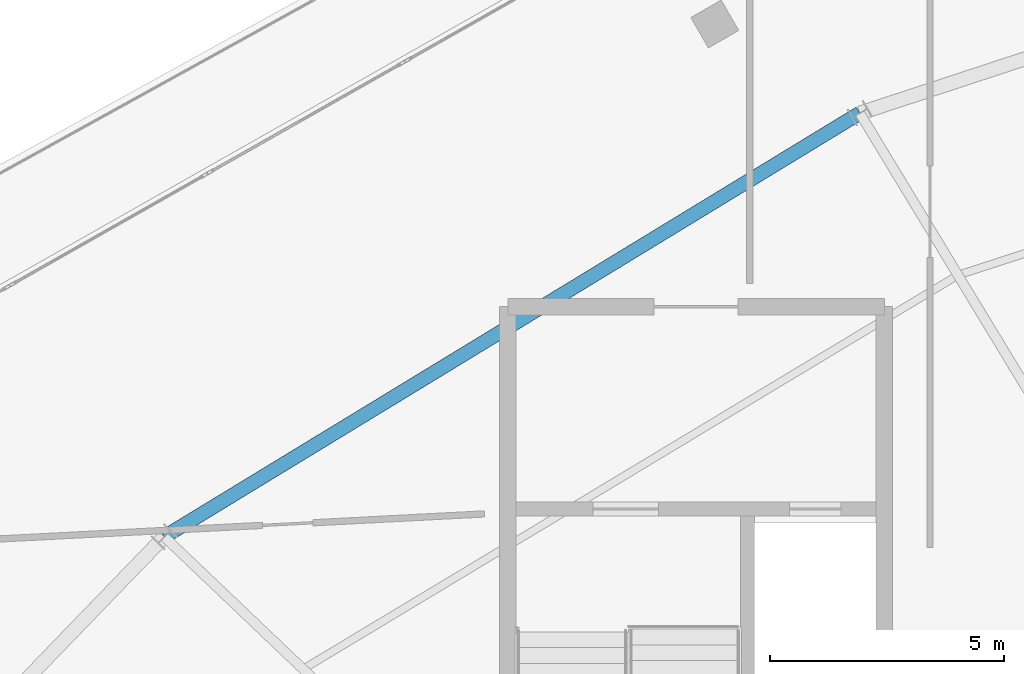
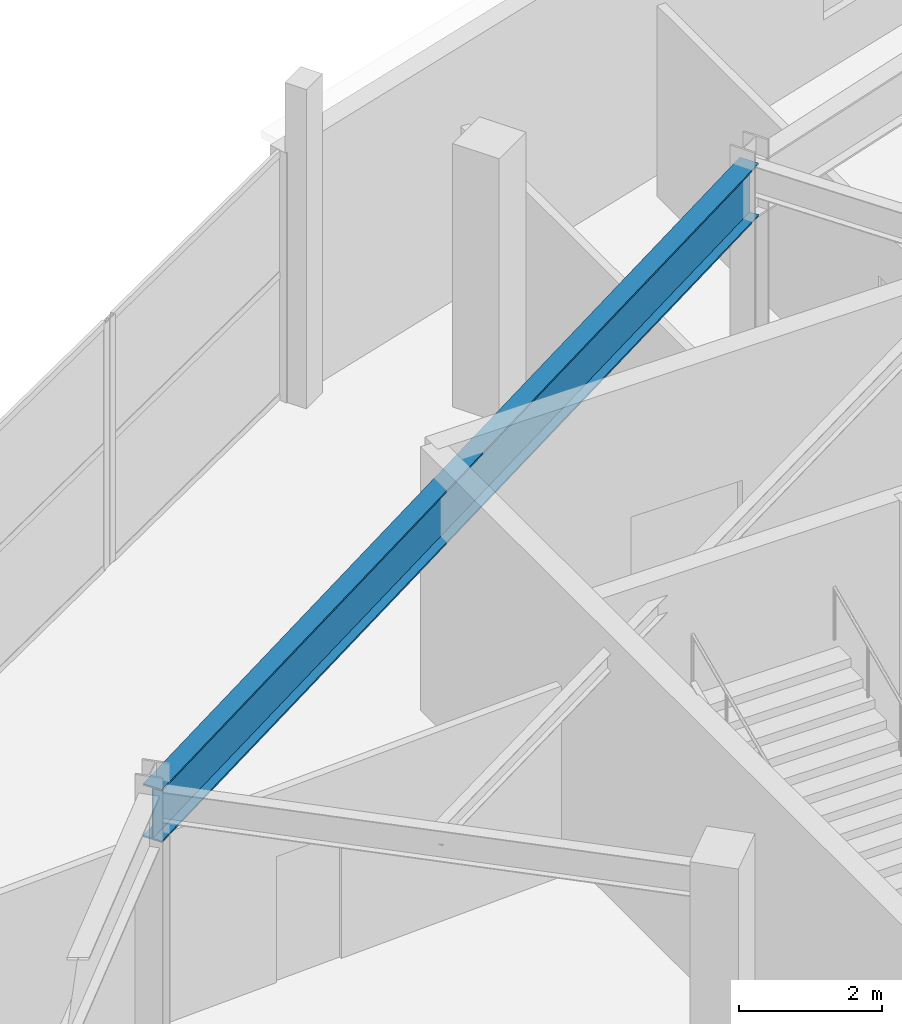
# One storey, part 45 of 123: 1 beam.
"""IFC4 building model written with IfcOpenShell, lengths in metres."""

from ifc_helpers import new_model, si_unit, direction, frame, origin, origin_2d, place, context, subcontext, project, spatial, i_section, extrude, material, material_profile, profile_set, type_object, element, save


model = new_model("IFC4")

# Units and contexts
model_context = context("Model", 3, precision=1e-05, world=origin(), true_north=direction((0.0, 1.0)))
body_context = subcontext(model_context, "Body", "Model", "MODEL_VIEW")
ifc_project = project(units=[si_unit("LENGTHUNIT", "METRE"), si_unit("AREAUNIT", "SQUARE_METRE"), si_unit("VOLUMEUNIT", "CUBIC_METRE"), si_unit("PLANEANGLEUNIT", "RADIAN"), si_unit("MASSUNIT", "GRAM", prefix="KILO")], contexts=[model_context])

# Site, building, storey
site_placement = place(None, origin())
site = spatial("IfcSite", under=ifc_project, at=site_placement, CompositionType="ELEMENT")
building_placement = place(site_placement, origin())
building = spatial("IfcBuilding", under=site, at=building_placement, Name="Kalgoora Escarpment Arena", CompositionType="ELEMENT")
storey_placement = place(building_placement, frame((0.0, 0.0, 9.89990234375)))
storey = spatial("IfcBuildingStorey", under=building, at=storey_placement, Name="L02", CompositionType="ELEMENT", Elevation=9.89990234375)

# Beam
ifc_material = material(Name="Structural steel Grade 350 (350 MPa)", Category="steel")
ifc_material_profile = material_profile(ifc_material, i_section(OverallWidth=0.300048828125, OverallDepth=0.909912109375, WebThickness=0.011962890625, FlangeThickness=0.028076171875, at=origin_2d()))
ifc_profile_set = profile_set([ifc_material_profile], Name="Structural steel Grade 350 (350 MPa)")
beam_type = type_object("IfcBeamType", Name="BM-SPANDREL-900WB218", PredefinedType="SPANDREL", material=ifc_profile_set)
beam_placement = place(storey_placement, frame((56.5, 113.36328125, 3.735107421875), z_axis=(-0.854030640858, -0.520222706613, 0.0), x_axis=(0.520222706613, -0.854030640858, 0.0)))
element("IfcBeam", 1, at=beam_placement, inside=storey, type_object=beam_type, Name="L02 Circumferential concourse girder RCONC2 900WB218", PredefinedType="SPANDREL", context=body_context, shape_type="SweptSolid", body=[
    extrude(i_section(OverallWidth=0.300048828125, OverallDepth=0.909912109375, WebThickness=0.011962890625, FlangeThickness=0.028076171875, at=origin_2d()), origin(), (0.0, 0.0, 1.0), 17.411865234375),
])

save(model, "model.ifc")
